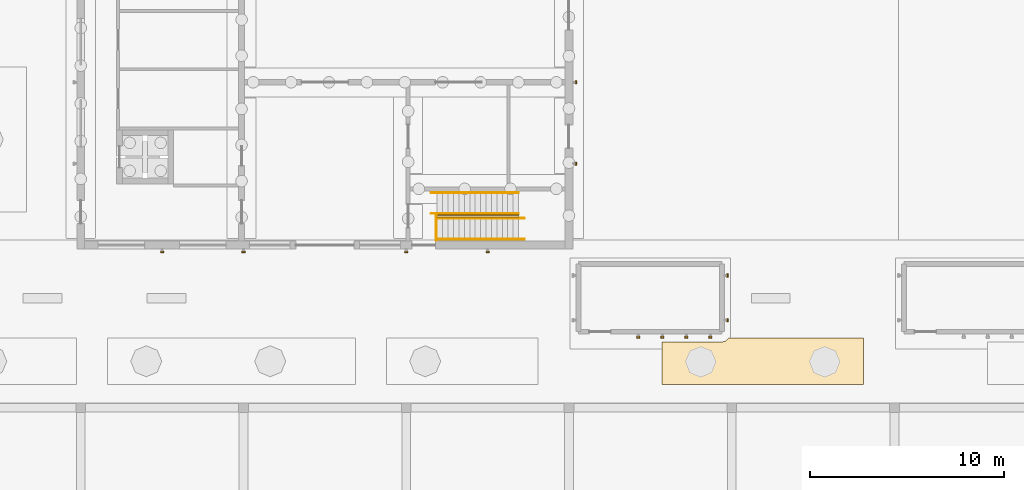
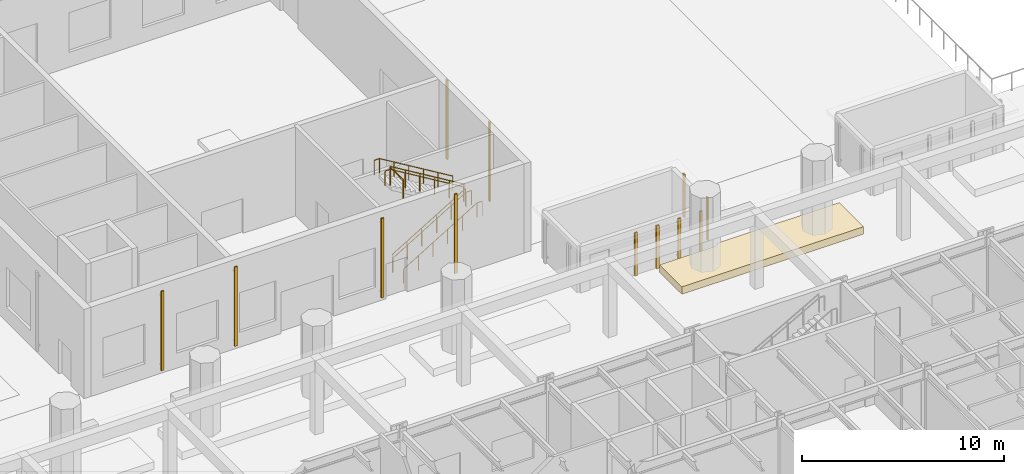
# One storey, part 121 of 127: 12 shading devices, 7 railings, 1 covering.
"""IFC4 building model written with IfcOpenShell, lengths in metres."""

from ifc_helpers import new_model, si_unit, direction, frame, origin, origin_2d, place, context, subcontext, project, spatial, polyline, rectangle, circle, outline, extrude, material, layer, layer_set, type_object, element, save


model = new_model("IFC4")

# Units and contexts
model_context = context("Model", 3, precision=1e-05, world=origin(), true_north=direction((0.0, 1.0)))
body_context = subcontext(model_context, "Body", "Model", "MODEL_VIEW")
ifc_project = project(units=[si_unit("LENGTHUNIT", "METRE"), si_unit("AREAUNIT", "SQUARE_METRE"), si_unit("VOLUMEUNIT", "CUBIC_METRE"), si_unit("PLANEANGLEUNIT", "RADIAN"), si_unit("MASSUNIT", "GRAM", prefix="KILO")], contexts=[model_context])

# Site, building, storey
site_placement = place(None, origin())
site = spatial("IfcSite", under=ifc_project, at=site_placement, CompositionType="ELEMENT")
building_placement = place(site_placement, origin())
building = spatial("IfcBuilding", under=site, at=building_placement, Name="Ljudholm Concert House", CompositionType="ELEMENT")
storey_placement = place(building_placement, origin())
storey = spatial("IfcBuildingStorey", under=building, at=storey_placement, Name="L00", CompositionType="ELEMENT", Elevation=0.0)

# Shading devices
ifc_material_1 = material(Name="Aluminium extrusion with timber-grain PVDF finish", Category="aluminium")
shading_device_type = type_object("IfcShadingDeviceType", Name="FACADE FIN 80x160", PredefinedType="SHUTTER", material=ifc_material_1)
for number, where, z_axis, x_axis, name in (
    (1, (91.577880859375, 142.0400390625, 0.099853515625), (0.0, 0.0, 1.0), (0.0, -1.0, 0.0), "Facade fin"),
    (2, (92.81689453125, 142.0400390625, 0.099853515625), (0.0, 0.0, 1.0), (0.0, -1.0, 0.0), "Facade fin"),
    (3, (94.055908203125, 142.0400390625, 0.099853515625), (0.0, 0.0, 1.0), (0.0, -1.0, 0.0), "Facade fin"),
    (4, (95.294921875, 142.0400390625, 0.099853515625), (0.0, 0.0, 1.0), (0.0, -1.0, 0.0), "Facade fin"),
    (5, (96.179931640625, 142.925048828125, 0.099853515625), (0.0, 0.0, 1.0), (1.0, 0.0, 0.0), "Facade fin"),
    (6, (96.179931640625, 145.22509765625, 0.099853515625), (0.0, 0.0, 1.0), (1.0, 0.0, 0.0), "Facade fin"),
):
    element("IfcShadingDevice", number, at=place(storey_placement, frame(where, z_axis=z_axis, x_axis=x_axis)), inside=storey, type_object=shading_device_type, Name=name, PredefinedType="SHUTTER", context=body_context, shape_type="SweptSolid", body=[
        extrude(rectangle(XDim=0.080078125, YDim=0.159912109375, at=origin_2d()), origin(), (0.0, 0.0, 1.0), 2.60009765625),
    ])
for number, where, z_axis, x_axis, name in (
    (7, (67.0, 146.43994140625, 0.2998046875), (0.0, 0.0, 1.0), (0.0, -1.0, 0.0), "Facade fin"),
    (8, (71.199951171875, 146.43994140625, 0.2998046875), (0.0, 0.0, 1.0), (0.0, -1.0, 0.0), "Facade fin"),
    (9, (79.60009765625, 146.43994140625, 0.2998046875), (0.0, 0.0, 1.0), (0.0, -1.0, 0.0), "Facade fin"),
    (10, (83.800048828125, 146.43994140625, 0.2998046875), (0.0, 0.0, 1.0), (0.0, -1.0, 0.0), "Facade fin"),
    (11, (88.360107421875, 151.0, 0.2998046875), (0.0, 0.0, 1.0), (1.0, 0.0, 0.0), "Facade fin"),
    (12, (88.360107421875, 155.199951171875, 0.2998046875), (0.0, 0.0, 1.0), (1.0, 0.0, 0.0), "Facade fin"),
):
    element("IfcShadingDevice", number, at=place(storey_placement, frame(where, z_axis=z_axis, x_axis=x_axis)), inside=storey, type_object=shading_device_type, Name=name, PredefinedType="SHUTTER", context=body_context, shape_type="SweptSolid", body=[
        extrude(rectangle(XDim=0.080078125, YDim=0.159912109375, at=origin_2d()), origin(), (0.0, 0.0, 1.0), 4.800048828125),
    ])

# Railings
ifc_material_2 = material(Name="Steel ASTM A36", Category="steel")
railing_type_1 = type_object("IfcRailingType", Name="GUARD 1100", PredefinedType="GUARDRAIL", material=ifc_material_2)
railing_1_placement = place(storey_placement, frame((81.199951171875, 148.22509765625, 0.168701171875)))
element("IfcRailing", 13, at=railing_1_placement, inside=storey, type_object=railing_type_1, Name="Guard", PredefinedType="GUARDRAIL", context=body_context, shape_type="SweptSolid", body=[
    extrude(circle(Radius=0.02490234375, at=origin_2d()), frame((0.0, 0.0, 1.0751953125), z_axis=(0.856459004192, 0.0, 0.516215046409), x_axis=(0.0, 1.0, 0.0)), (0.0, 0.0, 1.0), 0.98095703125),
    extrude(circle(Radius=0.02490234375, at=origin_2d()), frame((0.840087890625, 0.0, 1.58154296875), z_axis=(0.856502732318, 0.0, 0.516142489563), x_axis=(0.0, 1.0, 0.0)), (0.0, 0.0, 1.0), 0.98046875),
    extrude(circle(Radius=0.02490234375, at=origin_2d()), frame((1.679931640625, 0.0, 2.08740234375), z_axis=(0.856459004192, 0.0, 0.516215046409), x_axis=(0.0, 1.0, 0.0)), (0.0, 0.0, 1.0), 0.98095703125),
    extrude(circle(Radius=0.02490234375, at=origin_2d()), frame((2.52001953125, 0.0, 2.59375), z_axis=(0.856459004192, 0.0, 0.516215046409), x_axis=(0.0, 1.0, 0.0)), (0.0, 0.0, 1.0), 0.98095703125),
    extrude(circle(Radius=0.02490234375, at=origin_2d()), frame((3.360107421875, 0.0, 3.10009765625), z_axis=(0.856502732318, 0.0, 0.516142489563), x_axis=(0.0, 1.0, 0.0)), (0.0, 0.0, 1.0), 0.98046875),
    extrude(circle(Radius=0.02099609375, at=origin_2d()), origin(), (0.0, 0.0, 1.0), 1.050048828125),
    extrude(circle(Radius=0.02099609375, at=origin_2d()), frame((0.840087890625, 0.0, 0.50634765625)), (0.0, 0.0, 1.0), 1.050048828125),
    extrude(circle(Radius=0.02099609375, at=origin_2d()), frame((1.679931640625, 0.0, 1.012451171875)), (0.0, 0.0, 1.0), 1.050048828125),
    extrude(circle(Radius=0.02099609375, at=origin_2d()), frame((2.52001953125, 0.0, 1.518798828125)), (0.0, 0.0, 1.0), 1.050048828125),
    extrude(circle(Radius=0.02099609375, at=origin_2d()), frame((3.360107421875, 0.0, 2.025146484375)), (0.0, 0.0, 1.0), 1.050048828125),
    extrude(circle(Radius=0.02099609375, at=origin_2d()), frame((4.199951171875, 0.0, 2.53125)), (0.0, 0.0, 1.0), 1.050048828125),
])
railing_2_placement = place(storey_placement, frame((85.39990234375, 148.375, 2.86865234375)))
element("IfcRailing", 14, at=railing_2_placement, inside=storey, type_object=railing_type_1, Name="Guard", PredefinedType="GUARDRAIL", context=body_context, shape_type="SweptSolid", body=[
    extrude(circle(Radius=0.02490234375, at=origin_2d()), frame((0.0, 0.0, 1.0751953125), z_axis=(-0.856392657067, 0.0, 0.516325107778), x_axis=(0.0, -1.0, 0.0)), (0.0, 0.0, 1.0), 0.980712890625),
    extrude(circle(Radius=0.02490234375, at=origin_2d()), frame((-0.83984375, 0.0, 1.58154296875), z_axis=(-0.856459004192, 0.0, 0.516215046409), x_axis=(0.0, -1.0, 0.0)), (0.0, 0.0, 1.0), 0.98095703125),
    extrude(circle(Radius=0.02490234375, at=origin_2d()), frame((-1.679931640625, 0.0, 2.087890625), z_axis=(-0.856569041035, 0.0, 0.516032438845), x_axis=(0.0, -1.0, 0.0)), (0.0, 0.0, 1.0), 0.980712890625),
    extrude(circle(Radius=0.02490234375, at=origin_2d()), frame((-2.52001953125, 0.0, 2.59375), z_axis=(-0.856392657067, 0.0, 0.516325107778), x_axis=(0.0, -1.0, 0.0)), (0.0, 0.0, 1.0), 0.980712890625),
    extrude(circle(Radius=0.02490234375, at=origin_2d()), frame((-3.35986328125, 0.0, 3.10009765625), z_axis=(-0.856569041035, 0.0, 0.516032438845), x_axis=(0.0, -1.0, 0.0)), (0.0, 0.0, 1.0), 0.980712890625),
    extrude(circle(Radius=0.02099609375, at=origin_2d()), origin(), (0.0, 0.0, 1.0), 1.050048828125),
    extrude(circle(Radius=0.02099609375, at=origin_2d()), frame((-0.83984375, 0.0, 0.50634765625)), (0.0, 0.0, 1.0), 1.050048828125),
    extrude(circle(Radius=0.02099609375, at=origin_2d()), frame((-1.679931640625, 0.0, 1.0126953125)), (0.0, 0.0, 1.0), 1.050048828125),
    extrude(circle(Radius=0.02099609375, at=origin_2d()), frame((-2.52001953125, 0.0, 1.518798828125)), (0.0, 0.0, 1.0), 1.050048828125),
    extrude(circle(Radius=0.02099609375, at=origin_2d()), frame((-3.35986328125, 0.0, 2.025146484375)), (0.0, 0.0, 1.0), 1.050048828125),
    extrude(circle(Radius=0.02099609375, at=origin_2d()), frame((-4.199951171875, 0.0, 2.53125)), (0.0, 0.0, 1.0), 1.050048828125),
])
railing_3_placement = place(storey_placement, frame((81.14990234375, 147.050048828125, 5.39990234375)))
element("IfcRailing", 15, at=railing_3_placement, inside=storey, type_object=railing_type_1, Name="Guard", PredefinedType="GUARDRAIL", context=body_context, shape_type="SweptSolid", body=[
    extrude(circle(Radius=0.02490234375, at=origin_2d()), frame((0.0, 0.0, 1.0751953125), z_axis=(0.0, 1.0, 0.0), x_axis=(-1.0, 0.0, 0.0)), (0.0, 0.0, 1.0), 1.300048828125),
    extrude(circle(Radius=0.02099609375, at=origin_2d()), origin(), (0.0, 0.0, 1.0), 1.050048828125),
    extrude(circle(Radius=0.02099609375, at=origin_2d()), frame((0.0, 1.300048828125, 0.0)), (0.0, 0.0, 1.0), 1.050048828125),
])
ifc_material_3 = material(Name="Steel ASTM A36", Category="steel")
railing_type_2 = type_object("IfcRailingType", Name="HANDRAIL 900", PredefinedType="HANDRAIL", material=ifc_material_3)
railing_4_placement = place(storey_placement, frame((81.199951171875, 148.175048828125, 0.168701171875)))
element("IfcRailing", 16, at=railing_4_placement, inside=storey, type_object=railing_type_2, Name="Handrail", PredefinedType="HANDRAIL", context=body_context, shape_type="SweptSolid", body=[
    extrude(circle(Radius=0.0224609375, at=origin_2d()), frame((0.0, 0.0, 0.87744140625), z_axis=(0.856459004192, 0.0, 0.516215046409), x_axis=(0.0, 1.0, 0.0)), (0.0, 0.0, 1.0), 0.98095703125),
    extrude(circle(Radius=0.0224609375, at=origin_2d()), frame((0.840087890625, 0.0, 1.3837890625), z_axis=(0.856502732318, 0.0, 0.516142489563), x_axis=(0.0, 1.0, 0.0)), (0.0, 0.0, 1.0), 0.98046875),
    extrude(circle(Radius=0.0224609375, at=origin_2d()), frame((1.679931640625, 0.0, 1.889892578125), z_axis=(0.856459004192, 0.0, 0.516215046409), x_axis=(0.0, 1.0, 0.0)), (0.0, 0.0, 1.0), 0.98095703125),
    extrude(circle(Radius=0.0224609375, at=origin_2d()), frame((2.52001953125, 0.0, 2.396240234375), z_axis=(0.856459004192, 0.0, 0.516215046409), x_axis=(0.0, 1.0, 0.0)), (0.0, 0.0, 1.0), 0.98095703125),
    extrude(circle(Radius=0.0224609375, at=origin_2d()), frame((3.360107421875, 0.0, 2.902587890625), z_axis=(0.856502732318, 0.0, 0.516142489563), x_axis=(0.0, 1.0, 0.0)), (0.0, 0.0, 1.0), 0.98046875),
    extrude(circle(Radius=0.0224609375, at=origin_2d()), frame((4.199951171875, 0.0, 3.40869140625), z_axis=(1.0, 0.0, 0.0), x_axis=(0.0, 1.0, 0.0)), (0.0, 0.0, 1.0), 0.300048828125),
    extrude(circle(Radius=0.02099609375, at=origin_2d()), origin(), (0.0, 0.0, 1.0), 0.85498046875),
    extrude(circle(Radius=0.02099609375, at=origin_2d()), frame((0.840087890625, 0.0, 0.50634765625)), (0.0, 0.0, 1.0), 0.85498046875),
    extrude(circle(Radius=0.02099609375, at=origin_2d()), frame((1.679931640625, 0.0, 1.012451171875)), (0.0, 0.0, 1.0), 0.85498046875),
    extrude(circle(Radius=0.02099609375, at=origin_2d()), frame((2.52001953125, 0.0, 1.518798828125)), (0.0, 0.0, 1.0), 0.85498046875),
    extrude(circle(Radius=0.02099609375, at=origin_2d()), frame((3.360107421875, 0.0, 2.025146484375)), (0.0, 0.0, 1.0), 0.85498046875),
    extrude(circle(Radius=0.02099609375, at=origin_2d()), frame((4.199951171875, 0.0, 2.53125)), (0.0, 0.0, 1.0), 0.85498046875),
    extrude(circle(Radius=0.02099609375, at=origin_2d()), frame((4.5, 0.0, 2.53125)), (0.0, 0.0, 1.0), 0.85498046875),
])
railing_5_placement = place(storey_placement, frame((81.199951171875, 147.10009765625, 0.168701171875)))
element("IfcRailing", 17, at=railing_5_placement, inside=storey, type_object=railing_type_2, Name="Handrail", PredefinedType="HANDRAIL", context=body_context, shape_type="SweptSolid", body=[
    extrude(circle(Radius=0.0224609375, at=origin_2d()), frame((0.0, 0.0, 0.87744140625), z_axis=(0.856459004192, 0.0, 0.516215046409), x_axis=(0.0, 1.0, 0.0)), (0.0, 0.0, 1.0), 0.98095703125),
    extrude(circle(Radius=0.0224609375, at=origin_2d()), frame((0.840087890625, 0.0, 1.3837890625), z_axis=(0.856502732318, 0.0, 0.516142489563), x_axis=(0.0, 1.0, 0.0)), (0.0, 0.0, 1.0), 0.98046875),
    extrude(circle(Radius=0.0224609375, at=origin_2d()), frame((1.679931640625, 0.0, 1.889892578125), z_axis=(0.856459004192, 0.0, 0.516215046409), x_axis=(0.0, 1.0, 0.0)), (0.0, 0.0, 1.0), 0.98095703125),
    extrude(circle(Radius=0.0224609375, at=origin_2d()), frame((2.52001953125, 0.0, 2.396240234375), z_axis=(0.856459004192, 0.0, 0.516215046409), x_axis=(0.0, 1.0, 0.0)), (0.0, 0.0, 1.0), 0.98095703125),
    extrude(circle(Radius=0.0224609375, at=origin_2d()), frame((3.360107421875, 0.0, 2.902587890625), z_axis=(0.856502732318, 0.0, 0.516142489563), x_axis=(0.0, 1.0, 0.0)), (0.0, 0.0, 1.0), 0.98046875),
    extrude(circle(Radius=0.0224609375, at=origin_2d()), frame((4.199951171875, 0.0, 3.40869140625), z_axis=(1.0, 0.0, 0.0), x_axis=(0.0, 1.0, 0.0)), (0.0, 0.0, 1.0), 0.300048828125),
    extrude(circle(Radius=0.02099609375, at=origin_2d()), origin(), (0.0, 0.0, 1.0), 0.85498046875),
    extrude(circle(Radius=0.02099609375, at=origin_2d()), frame((0.840087890625, 0.0, 0.50634765625)), (0.0, 0.0, 1.0), 0.85498046875),
    extrude(circle(Radius=0.02099609375, at=origin_2d()), frame((1.679931640625, 0.0, 1.012451171875)), (0.0, 0.0, 1.0), 0.85498046875),
    extrude(circle(Radius=0.02099609375, at=origin_2d()), frame((2.52001953125, 0.0, 1.518798828125)), (0.0, 0.0, 1.0), 0.85498046875),
    extrude(circle(Radius=0.02099609375, at=origin_2d()), frame((3.360107421875, 0.0, 2.025146484375)), (0.0, 0.0, 1.0), 0.85498046875),
    extrude(circle(Radius=0.02099609375, at=origin_2d()), frame((4.199951171875, 0.0, 2.53125)), (0.0, 0.0, 1.0), 0.85498046875),
    extrude(circle(Radius=0.02099609375, at=origin_2d()), frame((4.5, 0.0, 2.53125)), (0.0, 0.0, 1.0), 0.85498046875),
])
railing_6_placement = place(storey_placement, frame((85.39990234375, 148.425048828125, 2.86865234375)))
element("IfcRailing", 18, at=railing_6_placement, inside=storey, type_object=railing_type_2, Name="Handrail", PredefinedType="HANDRAIL", context=body_context, shape_type="SweptSolid", body=[
    extrude(circle(Radius=0.0224609375, at=origin_2d()), frame((0.0, 0.0, 0.87744140625), z_axis=(-0.856392657067, 0.0, 0.516325107778), x_axis=(0.0, -1.0, 0.0)), (0.0, 0.0, 1.0), 0.980712890625),
    extrude(circle(Radius=0.0224609375, at=origin_2d()), frame((-0.83984375, 0.0, 1.3837890625), z_axis=(-0.856459004192, 0.0, 0.516215046409), x_axis=(0.0, -1.0, 0.0)), (0.0, 0.0, 1.0), 0.98095703125),
    extrude(circle(Radius=0.0224609375, at=origin_2d()), frame((-1.679931640625, 0.0, 1.89013671875), z_axis=(-0.856569041035, 0.0, 0.516032438845), x_axis=(0.0, -1.0, 0.0)), (0.0, 0.0, 1.0), 0.980712890625),
    extrude(circle(Radius=0.0224609375, at=origin_2d()), frame((-2.52001953125, 0.0, 2.396240234375), z_axis=(-0.856392657067, 0.0, 0.516325107778), x_axis=(0.0, -1.0, 0.0)), (0.0, 0.0, 1.0), 0.980712890625),
    extrude(circle(Radius=0.0224609375, at=origin_2d()), frame((-3.35986328125, 0.0, 2.902587890625), z_axis=(-0.856569041035, 0.0, 0.516032438845), x_axis=(0.0, -1.0, 0.0)), (0.0, 0.0, 1.0), 0.980712890625),
    extrude(circle(Radius=0.0224609375, at=origin_2d()), frame((-4.199951171875, 0.0, 3.40869140625), z_axis=(-1.0, 0.0, 0.0), x_axis=(0.0, -1.0, 0.0)), (0.0, 0.0, 1.0), 0.300048828125),
    extrude(circle(Radius=0.02099609375, at=origin_2d()), origin(), (0.0, 0.0, 1.0), 0.85498046875),
    extrude(circle(Radius=0.02099609375, at=origin_2d()), frame((-0.83984375, 0.0, 0.50634765625)), (0.0, 0.0, 1.0), 0.85498046875),
    extrude(circle(Radius=0.02099609375, at=origin_2d()), frame((-1.679931640625, 0.0, 1.0126953125)), (0.0, 0.0, 1.0), 0.85498046875),
    extrude(circle(Radius=0.02099609375, at=origin_2d()), frame((-2.52001953125, 0.0, 1.518798828125)), (0.0, 0.0, 1.0), 0.85498046875),
    extrude(circle(Radius=0.02099609375, at=origin_2d()), frame((-3.35986328125, 0.0, 2.025146484375)), (0.0, 0.0, 1.0), 0.85498046875),
    extrude(circle(Radius=0.02099609375, at=origin_2d()), frame((-4.199951171875, 0.0, 2.53125)), (0.0, 0.0, 1.0), 0.85498046875),
    extrude(circle(Radius=0.02099609375, at=origin_2d()), frame((-4.5, 0.0, 2.53125)), (0.0, 0.0, 1.0), 0.85498046875),
])
railing_7_placement = place(storey_placement, frame((85.39990234375, 149.5, 2.86865234375)))
element("IfcRailing", 19, at=railing_7_placement, inside=storey, type_object=railing_type_2, Name="Handrail", PredefinedType="HANDRAIL", context=body_context, shape_type="SweptSolid", body=[
    extrude(circle(Radius=0.0224609375, at=origin_2d()), frame((0.0, 0.0, 0.87744140625), z_axis=(-0.856392657067, 0.0, 0.516325107778), x_axis=(0.0, -1.0, 0.0)), (0.0, 0.0, 1.0), 0.980712890625),
    extrude(circle(Radius=0.0224609375, at=origin_2d()), frame((-0.83984375, 0.0, 1.3837890625), z_axis=(-0.856459004192, 0.0, 0.516215046409), x_axis=(0.0, -1.0, 0.0)), (0.0, 0.0, 1.0), 0.98095703125),
    extrude(circle(Radius=0.0224609375, at=origin_2d()), frame((-1.679931640625, 0.0, 1.89013671875), z_axis=(-0.856569041035, 0.0, 0.516032438845), x_axis=(0.0, -1.0, 0.0)), (0.0, 0.0, 1.0), 0.980712890625),
    extrude(circle(Radius=0.0224609375, at=origin_2d()), frame((-2.52001953125, 0.0, 2.396240234375), z_axis=(-0.856392657067, 0.0, 0.516325107778), x_axis=(0.0, -1.0, 0.0)), (0.0, 0.0, 1.0), 0.980712890625),
    extrude(circle(Radius=0.0224609375, at=origin_2d()), frame((-3.35986328125, 0.0, 2.902587890625), z_axis=(-0.856569041035, 0.0, 0.516032438845), x_axis=(0.0, -1.0, 0.0)), (0.0, 0.0, 1.0), 0.980712890625),
    extrude(circle(Radius=0.0224609375, at=origin_2d()), frame((-4.199951171875, 0.0, 3.40869140625), z_axis=(-1.0, 0.0, 0.0), x_axis=(0.0, -1.0, 0.0)), (0.0, 0.0, 1.0), 0.300048828125),
    extrude(circle(Radius=0.02099609375, at=origin_2d()), origin(), (0.0, 0.0, 1.0), 0.85498046875),
    extrude(circle(Radius=0.02099609375, at=origin_2d()), frame((-0.83984375, 0.0, 0.50634765625)), (0.0, 0.0, 1.0), 0.85498046875),
    extrude(circle(Radius=0.02099609375, at=origin_2d()), frame((-1.679931640625, 0.0, 1.0126953125)), (0.0, 0.0, 1.0), 0.85498046875),
    extrude(circle(Radius=0.02099609375, at=origin_2d()), frame((-2.52001953125, 0.0, 1.518798828125)), (0.0, 0.0, 1.0), 0.85498046875),
    extrude(circle(Radius=0.02099609375, at=origin_2d()), frame((-3.35986328125, 0.0, 2.025146484375)), (0.0, 0.0, 1.0), 0.85498046875),
    extrude(circle(Radius=0.02099609375, at=origin_2d()), frame((-4.199951171875, 0.0, 2.53125)), (0.0, 0.0, 1.0), 0.85498046875),
    extrude(circle(Radius=0.02099609375, at=origin_2d()), frame((-4.5, 0.0, 2.53125)), (0.0, 0.0, 1.0), 0.85498046875),
])

# Covering
ifc_material_4 = material(Name="Planting soil and ground cover")
ifc_layer = layer(ifc_material_4, 0.449951171875)
ifc_layer_set = layer_set([ifc_layer], Name="Planting soil and ground cover")
covering_type = type_object("IfcCoveringType", Name="PLANTING SOIL AND GROUND COVER FLOOR FINISH 450", PredefinedType="FLOORING", material=ifc_layer_set)
covering_placement = place(storey_placement, origin())
element("IfcCovering", 20, at=covering_placement, inside=storey, type_object=covering_type, Name="Planting bed", PredefinedType="FLOORING", context=body_context, shape_type="SweptSolid", body=[
    extrude(outline(polyline([(92.800048828125, 139.60009765625), (92.800048828125, 141.800048828125), (95.934326171875, 141.802001953125), (96.01123046875, 141.817138671875), (96.1171875, 141.867431640625), (96.25244140625, 142.0), (103.199951171875, 142.0), (103.199951171875, 139.60009765625), (92.800048828125, 139.60009765625)])), origin(), (0.0, 0.0, 1.0), 0.449951171875),
])

save(model, "model.ifc")
